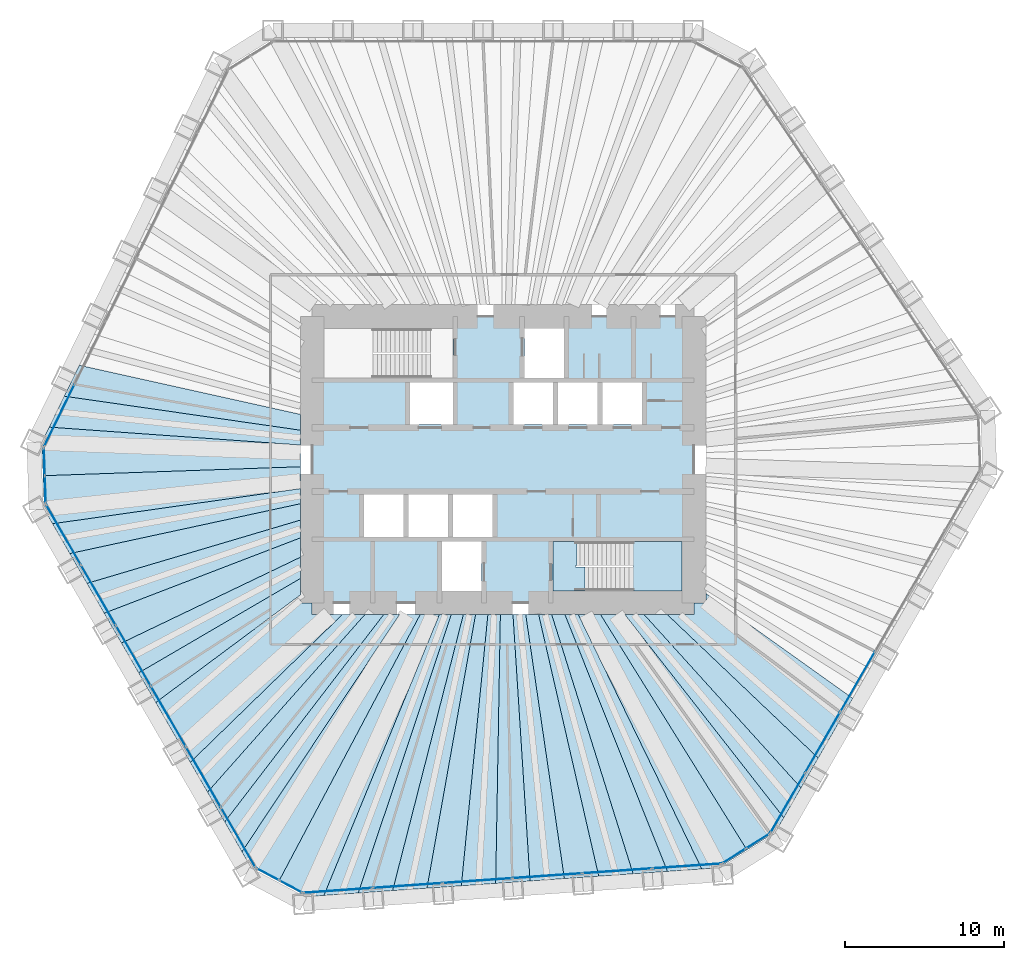
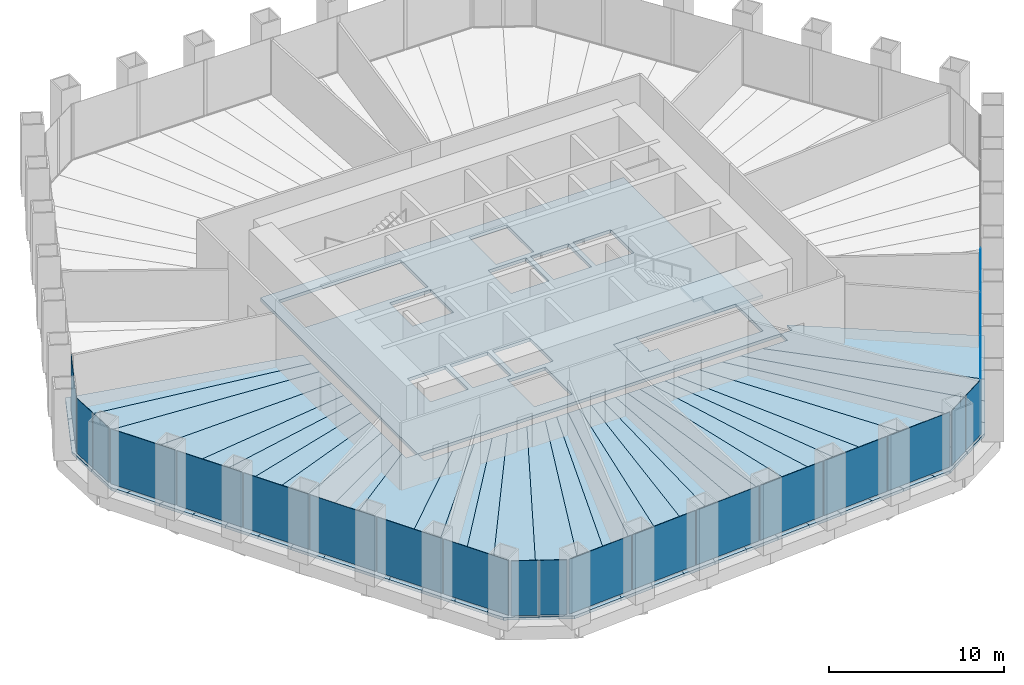
# One storey, part 8 of 13: 35 slabs, 22 plates, 8 elements without a shape of their own.
"""IFC4 building model written with IfcOpenShell, lengths in metres."""

from ifc_helpers import new_model, si_unit, direction, frame, origin, origin_2d, place, context, subcontext, project, spatial, polyline, rectangle, outline, extrude, material, layer, layer_set, type_object, element, aggregate, save


model = new_model("IFC4")

# Units and contexts
model_context = context("Model", 3, precision=1e-05, world=origin(), true_north=direction((0.0, 1.0)))
body_context = subcontext(model_context, "Body", "Model", "MODEL_VIEW")
ifc_project = project(units=[si_unit("LENGTHUNIT", "METRE"), si_unit("AREAUNIT", "SQUARE_METRE"), si_unit("VOLUMEUNIT", "CUBIC_METRE"), si_unit("PLANEANGLEUNIT", "RADIAN"), si_unit("MASSUNIT", "GRAM", prefix="KILO")], contexts=[model_context])

# Site, building, storey
site_placement = place(None, origin())
site = spatial("IfcSite", under=ifc_project, at=site_placement, CompositionType="ELEMENT")
building_placement = place(site_placement, origin())
building = spatial("IfcBuilding", under=site, at=building_placement, Name="Qingtian Harvest Tower", CompositionType="ELEMENT")
storey_placement = place(building_placement, frame((0.0, 0.0, 92.0)))
storey = spatial("IfcBuildingStorey", under=building, at=storey_placement, Name="L18", CompositionType="ELEMENT", Elevation=92.0)

# Slabs
ifc_material_1 = material(Name="Concrete fc' 35 MPa", Category="concrete")
ifc_layer_1 = layer(ifc_material_1, 0.199951171875)
ifc_layer_set_1 = layer_set([ifc_layer_1], Name="Composite floor slab FS20 200")
slab_type_1 = type_object("IfcSlabType", Name="Composite floor slab FS20 200", PredefinedType="FLOOR", material=ifc_layer_set_1)
slab_1_placement = place(storey_placement, frame((0.0, 0.0, -0.199951171875)))
element("IfcSlab", 1, at=slab_1_placement, inside=storey, type_object=slab_type_1, Name="Floor slab L18 panel D01", PredefinedType="FLOOR", context=body_context, shape_type="SweptSolid", body=[
    extrude(outline(polyline([(-28.930908203125, -1.01025390625), (-12.75, -0.447509765625), (-12.75, -1.822998046875), (-28.335205078125, -4.031982421875), (-28.857177734375, -3.128173828125), (-28.930908203125, -1.01025390625)])), origin(), (0.0, 0.0, 1.0), 0.199951171875),
])
slab_2_placement = place(storey_placement, frame((0.0, 0.0, -0.199951171875)))
element("IfcSlab", 2, at=slab_2_placement, inside=storey, type_object=slab_type_1, Name="Floor slab L18 panel D02", PredefinedType="FLOOR", context=body_context, shape_type="SweptSolid", body=[
    extrude(outline(polyline([(-12.75, -2.773681640625), (-27.252197265625, -5.90771484375), (-28.335205078125, -4.031982421875), (-12.75, -1.822998046875), (-12.75, -2.773681640625)])), origin(), (0.0, 0.0, 1.0), 0.199951171875),
])
slab_3_placement = place(storey_placement, frame((0.0, 0.0, -0.199951171875)))
element("IfcSlab", 3, at=slab_3_placement, inside=storey, type_object=slab_type_1, Name="Floor slab L18 panel D03", PredefinedType="FLOOR", context=body_context, shape_type="SweptSolid", body=[
    extrude(outline(polyline([(-12.75, -3.80322265625), (-26.169189453125, -7.78369140625), (-27.252197265625, -5.90771484375), (-12.75, -2.773681640625), (-12.75, -3.80322265625)])), origin(), (0.0, 0.0, 1.0), 0.199951171875),
])
slab_4_placement = place(storey_placement, frame((0.0, 0.0, -0.199951171875)))
element("IfcSlab", 4, at=slab_4_placement, inside=storey, type_object=slab_type_1, Name="Floor slab L18 panel D04", PredefinedType="FLOOR", context=body_context, shape_type="SweptSolid", body=[
    extrude(outline(polyline([(-12.75, -4.921875), (-25.086181640625, -9.659423828125), (-26.169189453125, -7.78369140625), (-12.75, -3.80322265625), (-12.75, -4.921875)])), origin(), (0.0, 0.0, 1.0), 0.199951171875),
])
slab_5_placement = place(storey_placement, frame((0.0, 0.0, -0.199951171875)))
element("IfcSlab", 5, at=slab_5_placement, inside=storey, type_object=slab_type_1, Name="Floor slab L18 panel D05", PredefinedType="FLOOR", context=body_context, shape_type="SweptSolid", body=[
    extrude(outline(polyline([(-12.75, -6.141357421875), (-24.003173828125, -11.535400390625), (-25.086181640625, -9.659423828125), (-12.75, -4.921875), (-12.75, -6.141357421875)])), origin(), (0.0, 0.0, 1.0), 0.199951171875),
])
slab_6_placement = place(storey_placement, frame((0.0, 0.0, -0.199951171875)))
element("IfcSlab", 6, at=slab_6_placement, inside=storey, type_object=slab_type_1, Name="Floor slab L18 panel D06", PredefinedType="FLOOR", context=body_context, shape_type="SweptSolid", body=[
    extrude(outline(polyline([(-12.75, -7.4765625), (-22.920166015625, -13.411376953125), (-24.003173828125, -11.535400390625), (-12.75, -6.141357421875), (-12.75, -7.4765625)])), origin(), (0.0, 0.0, 1.0), 0.199951171875),
])
slab_7_placement = place(storey_placement, frame((0.0, 0.0, -0.199951171875)))
element("IfcSlab", 7, at=slab_7_placement, inside=storey, type_object=slab_type_1, Name="Floor slab L18 panel D07", PredefinedType="FLOOR", context=body_context, shape_type="SweptSolid", body=[
    extrude(outline(polyline([(-12.75, -8.512451171875), (-21.84375, -15.275390625), (-22.920166015625, -13.411376953125), (-12.75, -7.4765625), (-12.75, -8.512451171875)])), origin(), (0.0, 0.0, 1.0), 0.199951171875),
])
slab_8_placement = place(storey_placement, frame((0.0, 0.0, -0.199951171875)))
element("IfcSlab", 8, at=slab_8_placement, inside=storey, type_object=slab_type_1, Name="Floor slab L18 panel D09", PredefinedType="FLOOR", context=body_context, shape_type="SweptSolid", body=[
    extrude(outline(polyline([(-19.671875, -19.037353515625), (-21.84375, -15.275390625), (-12.75, -8.512451171875), (-12.75, -9.0), (-12.0, -9.0), (-12.0, -9.75), (-10.1123046875, -9.75), (-19.671875, -19.037353515625)])), origin(), (0.0, 0.0, 1.0), 0.199951171875),
])
slab_9_placement = place(storey_placement, frame((0.0, 0.0, -0.199951171875)))
element("IfcSlab", 9, at=slab_9_placement, inside=storey, type_object=slab_type_1, Name="Floor slab L18 panel D10", PredefinedType="FLOOR", context=body_context, shape_type="SweptSolid", body=[
    extrude(outline(polyline([(-8.694580078125, -9.75), (-18.588623046875, -20.91357421875), (-19.671875, -19.037353515625), (-10.1123046875, -9.75), (-8.694580078125, -9.75)])), origin(), (0.0, 0.0, 1.0), 0.199951171875),
])
slab_10_placement = place(storey_placement, frame((0.0, 0.0, -0.199951171875)))
element("IfcSlab", 10, at=slab_10_placement, inside=storey, type_object=slab_type_1, Name="Floor slab L18 panel D11", PredefinedType="FLOOR", context=body_context, shape_type="SweptSolid", body=[
    extrude(outline(polyline([(-7.511474609375, -9.75), (-17.505615234375, -22.789306640625), (-18.588623046875, -20.91357421875), (-8.694580078125, -9.75), (-7.511474609375, -9.75)])), origin(), (0.0, 0.0, 1.0), 0.199951171875),
])
slab_11_placement = place(storey_placement, frame((0.0, 0.0, -0.199951171875)))
element("IfcSlab", 11, at=slab_11_placement, inside=storey, type_object=slab_type_1, Name="Floor slab L18 panel D12", PredefinedType="FLOOR", context=body_context, shape_type="SweptSolid", body=[
    extrude(outline(polyline([(-6.509033203125, -9.75), (-16.422607421875, -24.665283203125), (-17.505615234375, -22.789306640625), (-7.511474609375, -9.75), (-6.509033203125, -9.75)])), origin(), (0.0, 0.0, 1.0), 0.199951171875),
])
slab_12_placement = place(storey_placement, frame((0.0, 0.0, -0.199951171875)))
element("IfcSlab", 12, at=slab_12_placement, inside=storey, type_object=slab_type_1, Name="Floor slab L18 panel D13", PredefinedType="FLOOR", context=body_context, shape_type="SweptSolid", body=[
    extrude(outline(polyline([(-6.509033203125, -9.75), (-5.213623046875, -9.75), (-14.104248046875, -26.524658203125), (-15.900634765625, -25.5693359375), (-16.422607421875, -24.665283203125), (-6.509033203125, -9.75)])), origin(), (0.0, 0.0, 1.0), 0.199951171875),
])
slab_13_placement = place(storey_placement, frame((0.0, 0.0, -0.199951171875)))
element("IfcSlab", 13, at=slab_13_placement, inside=storey, type_object=slab_type_1, Name="Floor slab L18 panel D14", PredefinedType="FLOOR", context=body_context, shape_type="SweptSolid", body=[
    extrude(outline(polyline([(-5.213623046875, -9.75), (-4.006591796875, -9.75), (-11.265625, -27.40771484375), (-12.306396484375, -27.48046875), (-14.104248046875, -26.524658203125), (-5.213623046875, -9.75)])), origin(), (0.0, 0.0, 1.0), 0.199951171875),
])
slab_14_placement = place(storey_placement, frame((0.0, 0.0, -0.199951171875)))
element("IfcSlab", 14, at=slab_14_placement, inside=storey, type_object=slab_type_1, Name="Floor slab L18 panel D15", PredefinedType="FLOOR", context=body_context, shape_type="SweptSolid", body=[
    extrude(outline(polyline([(-3.255859375, -9.75), (-9.104736328125, -27.256591796875), (-11.265625, -27.40771484375), (-4.006591796875, -9.75), (-3.255859375, -9.75)])), origin(), (0.0, 0.0, 1.0), 0.199951171875),
])
slab_15_placement = place(storey_placement, frame((0.0, 0.0, -0.199951171875)))
element("IfcSlab", 15, at=slab_15_placement, inside=storey, type_object=slab_type_1, Name="Floor slab L18 panel D16", PredefinedType="FLOOR", context=body_context, shape_type="SweptSolid", body=[
    extrude(outline(polyline([(-2.496826171875, -9.75), (-6.944091796875, -27.10546875), (-9.104736328125, -27.256591796875), (-3.255859375, -9.75), (-2.496826171875, -9.75)])), origin(), (0.0, 0.0, 1.0), 0.199951171875),
])
slab_16_placement = place(storey_placement, frame((0.0, 0.0, -0.199951171875)))
element("IfcSlab", 16, at=slab_16_placement, inside=storey, type_object=slab_type_1, Name="Floor slab L18 panel D17", PredefinedType="FLOOR", context=body_context, shape_type="SweptSolid", body=[
    extrude(outline(polyline([(-1.729248046875, -9.75), (-4.783447265625, -26.954345703125), (-6.944091796875, -27.10546875), (-2.496826171875, -9.75), (-1.729248046875, -9.75)])), origin(), (0.0, 0.0, 1.0), 0.199951171875),
])
slab_17_placement = place(storey_placement, frame((0.0, 0.0, -0.199951171875)))
element("IfcSlab", 17, at=slab_17_placement, inside=storey, type_object=slab_type_1, Name="Floor slab L18 panel D18", PredefinedType="FLOOR", context=body_context, shape_type="SweptSolid", body=[
    extrude(outline(polyline([(-0.952880859375, -9.75), (-2.62255859375, -26.80322265625), (-4.783447265625, -26.954345703125), (-1.729248046875, -9.75), (-0.952880859375, -9.75)])), origin(), (0.0, 0.0, 1.0), 0.199951171875),
])
slab_18_placement = place(storey_placement, frame((0.0, 0.0, -0.199951171875)))
element("IfcSlab", 18, at=slab_18_placement, inside=storey, type_object=slab_type_1, Name="Floor slab L18 panel D19", PredefinedType="FLOOR", context=body_context, shape_type="SweptSolid", body=[
    extrude(outline(polyline([(-0.16796875, -9.75), (-0.4619140625, -26.652099609375), (-2.62255859375, -26.80322265625), (-0.952880859375, -9.75), (-0.16796875, -9.75)])), origin(), (0.0, 0.0, 1.0), 0.199951171875),
])
slab_19_placement = place(storey_placement, frame((0.0, 0.0, -0.199951171875)))
element("IfcSlab", 19, at=slab_19_placement, inside=storey, type_object=slab_type_1, Name="Floor slab L18 panel D20", PredefinedType="FLOOR", context=body_context, shape_type="SweptSolid", body=[
    extrude(outline(polyline([(0.626220703125, -9.75), (1.698974609375, -26.5009765625), (-0.4619140625, -26.652099609375), (-0.16796875, -9.75), (0.626220703125, -9.75)])), origin(), (0.0, 0.0, 1.0), 0.199951171875),
])
slab_20_placement = place(storey_placement, frame((0.0, 0.0, -0.199951171875)))
element("IfcSlab", 20, at=slab_20_placement, inside=storey, type_object=slab_type_1, Name="Floor slab L18 panel D21", PredefinedType="FLOOR", context=body_context, shape_type="SweptSolid", body=[
    extrude(outline(polyline([(1.42919921875, -9.75), (3.859619140625, -26.349853515625), (1.698974609375, -26.5009765625), (0.626220703125, -9.75), (1.42919921875, -9.75)])), origin(), (0.0, 0.0, 1.0), 0.199951171875),
])
slab_21_placement = place(storey_placement, frame((0.0, 0.0, -0.199951171875)))
element("IfcSlab", 21, at=slab_21_placement, inside=storey, type_object=slab_type_1, Name="Floor slab L18 panel D22", PredefinedType="FLOOR", context=body_context, shape_type="SweptSolid", body=[
    extrude(outline(polyline([(2.24169921875, -9.75), (6.020263671875, -26.198974609375), (3.859619140625, -26.349853515625), (1.42919921875, -9.75), (2.24169921875, -9.75)])), origin(), (0.0, 0.0, 1.0), 0.199951171875),
])
slab_22_placement = place(storey_placement, frame((0.0, 0.0, -0.199951171875)))
element("IfcSlab", 22, at=slab_22_placement, inside=storey, type_object=slab_type_1, Name="Floor slab L18 panel D23", PredefinedType="FLOOR", context=body_context, shape_type="SweptSolid", body=[
    extrude(outline(polyline([(3.0634765625, -9.75), (8.18115234375, -26.0478515625), (6.020263671875, -26.198974609375), (2.24169921875, -9.75), (3.0634765625, -9.75)])), origin(), (0.0, 0.0, 1.0), 0.199951171875),
])
slab_23_placement = place(storey_placement, frame((0.0, 0.0, -0.199951171875)))
element("IfcSlab", 23, at=slab_23_placement, inside=storey, type_object=slab_type_1, Name="Floor slab L18 panel D24", PredefinedType="FLOOR", context=body_context, shape_type="SweptSolid", body=[
    extrude(outline(polyline([(3.894775390625, -9.75), (10.341796875, -25.896728515625), (8.18115234375, -26.0478515625), (3.0634765625, -9.75), (3.894775390625, -9.75)])), origin(), (0.0, 0.0, 1.0), 0.199951171875),
])
slab_24_placement = place(storey_placement, frame((0.0, 0.0, -0.199951171875)))
element("IfcSlab", 24, at=slab_24_placement, inside=storey, type_object=slab_type_1, Name="Floor slab L18 panel D25", PredefinedType="FLOOR", context=body_context, shape_type="SweptSolid", body=[
    extrude(outline(polyline([(4.736083984375, -9.75), (12.50244140625, -25.74560546875), (10.341796875, -25.896728515625), (3.894775390625, -9.75), (4.736083984375, -9.75)])), origin(), (0.0, 0.0, 1.0), 0.199951171875),
])
slab_25_placement = place(storey_placement, frame((0.0, 0.0, -0.199951171875)))
element("IfcSlab", 25, at=slab_25_placement, inside=storey, type_object=slab_type_1, Name="Floor slab L18 panel D26", PredefinedType="FLOOR", context=body_context, shape_type="SweptSolid", body=[
    extrude(outline(polyline([(4.736083984375, -9.75), (6.136474609375, -9.75), (15.34130859375, -24.54931640625), (13.54345703125, -25.6728515625), (12.50244140625, -25.74560546875), (4.736083984375, -9.75)])), origin(), (0.0, 0.0, 1.0), 0.199951171875),
])
slab_26_placement = place(storey_placement, frame((0.0, 0.0, -0.199951171875)))
element("IfcSlab", 26, at=slab_26_placement, inside=storey, type_object=slab_type_1, Name="Floor slab L18 panel D27", PredefinedType="FLOOR", context=body_context, shape_type="SweptSolid", body=[
    extrude(outline(polyline([(6.136474609375, -9.75), (7.66748046875, -9.75), (17.659423828125, -22.522705078125), (17.137451171875, -23.427001953125), (15.34130859375, -24.54931640625), (6.136474609375, -9.75)])), origin(), (0.0, 0.0, 1.0), 0.199951171875),
])
slab_27_placement = place(storey_placement, frame((0.0, 0.0, -0.199951171875)))
element("IfcSlab", 27, at=slab_27_placement, inside=storey, type_object=slab_type_1, Name="Floor slab L18 panel D28", PredefinedType="FLOOR", context=body_context, shape_type="SweptSolid", body=[
    extrude(outline(polyline([(8.88037109375, -9.75), (18.74267578125, -20.646728515625), (17.659423828125, -22.522705078125), (7.66748046875, -9.75), (8.88037109375, -9.75)])), origin(), (0.0, 0.0, 1.0), 0.199951171875),
])
slab_28_placement = place(storey_placement, frame((0.0, 0.0, -0.199951171875)))
element("IfcSlab", 28, at=slab_28_placement, inside=storey, type_object=slab_type_1, Name="Floor slab L18 panel D29", PredefinedType="FLOOR", context=body_context, shape_type="SweptSolid", body=[
    extrude(outline(polyline([(10.337158203125, -9.75), (19.82568359375, -18.770751953125), (18.74267578125, -20.646728515625), (8.88037109375, -9.75), (10.337158203125, -9.75)])), origin(), (0.0, 0.0, 1.0), 0.199951171875),
])
slab_29_placement = place(storey_placement, frame((0.0, 0.0, -0.199951171875)))
element("IfcSlab", 29, at=slab_29_placement, inside=storey, type_object=slab_type_1, Name="Floor slab L18 panel D31", PredefinedType="FLOOR", context=body_context, shape_type="SweptSolid", body=[
    extrude(outline(polyline([(12.75, -8.4091796875), (21.995849609375, -15.011962890625), (19.82568359375, -18.770751953125), (10.337158203125, -9.75), (12.0, -9.75), (12.0, -9.0), (12.75, -9.0), (12.75, -8.4091796875)])), origin(), (0.0, 0.0, 1.0), 0.199951171875),
])
slab_30_placement = place(storey_placement, frame((0.0, 0.0, -0.199951171875)))
element("IfcSlab", 30, at=slab_30_placement, inside=storey, type_object=slab_type_1, Name="Floor slab L18 panel D76", PredefinedType="FLOOR", context=body_context, shape_type="SweptSolid", body=[
    extrude(outline(polyline([(-12.75, 1.8525390625), (-27.597900390625, 3.992431640625), (-26.6484375, 5.939208984375), (-12.75, 2.8505859375), (-12.75, 1.8525390625)])), origin(), (0.0, 0.0, 1.0), 0.199951171875),
])
slab_31_placement = place(storey_placement, frame((0.0, 0.0, -0.199951171875)))
element("IfcSlab", 31, at=slab_31_placement, inside=storey, type_object=slab_type_1, Name="Floor slab L18 panel D77", PredefinedType="FLOOR", context=body_context, shape_type="SweptSolid", body=[
    extrude(outline(polyline([(-12.75, 0.9208984375), (-28.54736328125, 2.045654296875), (-27.597900390625, 3.992431640625), (-12.75, 1.8525390625), (-12.75, 0.9208984375)])), origin(), (0.0, 0.0, 1.0), 0.199951171875),
])
slab_32_placement = place(storey_placement, frame((0.0, 0.0, -0.199951171875)))
element("IfcSlab", 32, at=slab_32_placement, inside=storey, type_object=slab_type_1, Name="Floor slab L18 panel D78", PredefinedType="FLOOR", context=body_context, shape_type="SweptSolid", body=[
    extrude(outline(polyline([(-12.75, 0.9208984375), (-12.75, -0.447509765625), (-28.930908203125, -1.01025390625), (-29.0048828125, 1.107421875), (-28.54736328125, 2.045654296875), (-12.75, 0.9208984375)])), origin(), (0.0, 0.0, 1.0), 0.199951171875),
])
ifc_material_2 = material(Name="Concrete fc' 35 MPa", Category="concrete")
ifc_layer_2 = layer(ifc_material_2, 0.219970703125)
ifc_layer_set_2 = layer_set([ifc_layer_2], Name="Core floor slab CS22 220")
slab_type_2 = type_object("IfcSlabType", Name="Core floor slab CS22 220", PredefinedType="FLOOR", material=ifc_layer_set_2)
slab_33_placement = place(storey_placement, frame((0.0, 0.0, -0.219970703125)))
element("IfcSlab", 33, at=slab_33_placement, inside=storey, type_object=slab_type_2, Name="Core floor slab L18", PredefinedType="FLOOR", context=body_context, shape_type="SweptSolid", body=[
    extrude(outline(polyline([(-12.0, -9.0), (12.0, -9.0), (12.0, 9.0), (-12.0, 9.0), (-12.0, -9.0)]), holes=[polyline([(-11.25, 5.14990234375), (-3.14990234375, 5.14990234375), (-3.14990234375, 8.25), (-11.25, 8.25), (-11.25, 5.14990234375)]), polyline([(3.14990234375, -8.25), (11.25, -8.25), (11.25, -5.14990234375), (3.14990234375, -5.14990234375), (3.14990234375, -8.25)]), polyline([(1.35009765625, 5.14990234375), (3.85009765625, 5.14990234375), (3.85009765625, 8.25), (1.35009765625, 8.25), (1.35009765625, 5.14990234375)]), polyline([(-3.85009765625, -8.25), (-1.35009765625, -8.25), (-1.35009765625, -5.14990234375), (-3.85009765625, -5.14990234375), (-3.85009765625, -8.25)]), polyline([(-5.85009765625, 2.199951171875), (-3.14990234375, 2.199951171875), (-3.14990234375, 4.85009765625), (-5.85009765625, 4.85009765625), (-5.85009765625, 2.199951171875)]), polyline([(0.64990234375, 2.199951171875), (3.14990234375, 2.199951171875), (3.14990234375, 4.85009765625), (0.64990234375, 4.85009765625), (0.64990234375, 2.199951171875)]), polyline([(3.449951171875, 2.199951171875), (5.949951171875, 2.199951171875), (5.949951171875, 4.85009765625), (3.449951171875, 4.85009765625), (3.449951171875, 2.199951171875)]), polyline([(6.25, 2.199951171875), (8.75, 2.199951171875), (8.75, 4.85009765625), (6.25, 4.85009765625), (6.25, 2.199951171875)]), polyline([(-8.75, -4.85009765625), (-6.25, -4.85009765625), (-6.25, -2.199951171875), (-8.75, -2.199951171875), (-8.75, -4.85009765625)]), polyline([(-5.949951171875, -4.85009765625), (-3.449951171875, -4.85009765625), (-3.449951171875, -2.199951171875), (-5.949951171875, -2.199951171875), (-5.949951171875, -4.85009765625)]), polyline([(-3.14990234375, -4.85009765625), (-0.64990234375, -4.85009765625), (-0.64990234375, -2.199951171875), (-3.14990234375, -2.199951171875), (-3.14990234375, -4.85009765625)])]), origin(), (0.0, 0.0, 1.0), 0.219970703125),
])

# Curtain wall, plates
ifc_material_3 = material(Name="Bronze-anodised aluminium curtain wall", Category="aluminium")
curtain_wall_type = type_object("IfcCurtainWallType", Name="Curtain wall CW2 farm reception", PredefinedType="USERDEFINED", material=ifc_material_3)
curtain_wall_1_placement = place(storey_placement, origin())
curtain_wall_1 = element("IfcCurtainWall", 34, at=curtain_wall_1_placement, inside=storey, type_object=curtain_wall_type, Name="Curtain wall CW2 L18 SE0-5", ObjectType="RECESSED CURTAIN WALL", PredefinedType="USERDEFINED")
ifc_material_4 = material(Name="Bronze-tinted laminated insulating glass", Category="glass")
ifc_layer_3 = layer(ifc_material_4, 0.030029296875)
ifc_layer_set_3 = layer_set([ifc_layer_3], Name="Glazed panel CWP tinted IGU")
plate_type = type_object("IfcPlateType", Name="Glazed panel CWP tinted IGU", PredefinedType="CURTAIN_PANEL", material=ifc_layer_set_3)
plate_1_placement = place(storey_placement, frame((22.30419921875, -13.968017578125, 0.06494140625), z_axis=(0.0, 0.0, 1.0), x_axis=(-0.5, -0.866025403784, 0.0)))
plate_1 = element("IfcPlate", 35, at=plate_1_placement, type_object=plate_type, Name="CW2 panel 4.1", PredefinedType="CURTAIN_PANEL", context=body_context, shape_type="SweptSolid", body=[
    extrude(rectangle(XDim=4.339599609375, YDim=0.030029296875, at=origin_2d()), origin(), (0.0, 0.0, 1.0), 3.8349609375),
])
plate_2_placement = place(storey_placement, frame((20.101806640625, -17.782470703125, 0.06494140625), z_axis=(0.0, 0.0, 1.0), x_axis=(-0.5, -0.866025403784, 0.0)))
plate_2 = element("IfcPlate", 36, at=plate_2_placement, type_object=plate_type, Name="CW2 panel 5.1", PredefinedType="CURTAIN_PANEL", context=body_context, shape_type="SweptSolid", body=[
    extrude(rectangle(XDim=4.339599609375, YDim=0.030029296875, at=origin_2d()), origin(), (0.0, 0.0, 1.0), 3.8349609375),
])
plate_3_placement = place(storey_placement, frame((17.90771484375, -21.5830078125, 0.06494140625), z_axis=(0.0, 0.0, 1.0), x_axis=(-0.5, -0.866025403784, 0.0)))
plate_3 = element("IfcPlate", 37, at=plate_3_placement, type_object=plate_type, Name="CW2 panel 6.1", PredefinedType="CURTAIN_PANEL", context=body_context, shape_type="SweptSolid", body=[
    extrude(rectangle(XDim=4.30712890625, YDim=0.030029296875, at=origin_2d()), origin(), (0.0, 0.0, 1.0), 3.8349609375),
])
aggregate(curtain_wall_1, [plate_1, plate_2, plate_3])

curtain_wall_2_placement = place(storey_placement, origin())
curtain_wall_2 = element("IfcCurtainWall", 38, at=curtain_wall_2_placement, inside=storey, type_object=curtain_wall_type, Name="Curtain wall CW2 L18 SEC", ObjectType="RECESSED CURTAIN WALL", PredefinedType="USERDEFINED")
plate_4_placement = place(storey_placement, frame((16.025390625, -23.9873046875, 0.06494140625), z_axis=(0.0, 0.0, 1.0), x_axis=(-0.848048096156, -0.529919264233, 0.0)))
plate_4 = element("IfcPlate", 39, at=plate_4_placement, type_object=plate_type, Name="CW2 panel 1.1", PredefinedType="CURTAIN_PANEL", context=body_context, shape_type="SweptSolid", body=[
    extrude(rectangle(XDim=1.69287109375, YDim=0.030029296875, at=origin_2d()), origin(), (0.0, 0.0, 1.0), 3.8349609375),
])
plate_5_placement = place(storey_placement, frame((14.53466796875, -24.9189453125, 0.06494140625), z_axis=(0.0, 0.0, 1.0), x_axis=(-0.848048096156, -0.529919264233, 0.0)))
plate_5 = element("IfcPlate", 40, at=plate_5_placement, type_object=plate_type, Name="CW2 panel 2.1", PredefinedType="CURTAIN_PANEL", context=body_context, shape_type="SweptSolid", body=[
    extrude(rectangle(XDim=1.69287109375, YDim=0.030029296875, at=origin_2d()), origin(), (0.0, 0.0, 1.0), 3.8349609375),
])
aggregate(curtain_wall_2, [plate_4, plate_5])

curtain_wall_3_placement = place(storey_placement, origin())
curtain_wall_3 = element("IfcCurtainWall", 41, at=curtain_wall_3_placement, inside=storey, type_object=curtain_wall_type, Name="Curtain wall CW2 L18 S0-5", ObjectType="RECESSED CURTAIN WALL", PredefinedType="USERDEFINED")
plate_6_placement = place(storey_placement, frame((11.548583984375, -25.556640625, 0.06494140625), z_axis=(0.0, 0.0, 1.0), x_axis=(-0.99756405026, -0.069756473744, 0.0)))
plate_6 = element("IfcPlate", 42, at=plate_6_placement, type_object=plate_type, Name="CW2 panel 1.1", PredefinedType="CURTAIN_PANEL", context=body_context, shape_type="SweptSolid", body=[
    extrude(rectangle(XDim=4.30712890625, YDim=0.030029296875, at=origin_2d()), origin(), (0.0, 0.0, 1.0), 3.8349609375),
])
plate_7_placement = place(storey_placement, frame((7.1708984375, -25.86279296875, 0.06494140625), z_axis=(0.0, 0.0, 1.0), x_axis=(-0.99756405026, -0.069756473744, 0.0)))
plate_7 = element("IfcPlate", 43, at=plate_7_placement, type_object=plate_type, Name="CW2 panel 2.1", PredefinedType="CURTAIN_PANEL", context=body_context, shape_type="SweptSolid", body=[
    extrude(rectangle(XDim=4.339599609375, YDim=0.030029296875, at=origin_2d()), origin(), (0.0, 0.0, 1.0), 3.8349609375),
])
plate_8_placement = place(storey_placement, frame((2.77685546875, -26.169921875, 0.06494140625), z_axis=(0.0, 0.0, 1.0), x_axis=(-0.99756405026, -0.069756473744, 0.0)))
plate_8 = element("IfcPlate", 44, at=plate_8_placement, type_object=plate_type, Name="CW2 panel 3.1", PredefinedType="CURTAIN_PANEL", context=body_context, shape_type="SweptSolid", body=[
    extrude(rectangle(XDim=4.339599609375, YDim=0.030029296875, at=origin_2d()), origin(), (0.0, 0.0, 1.0), 3.8349609375),
])
plate_9_placement = place(storey_placement, frame((-1.616943359375, -26.477294921875, 0.06494140625), z_axis=(0.0, 0.0, 1.0), x_axis=(-0.99756405026, -0.069756473744, 0.0)))
plate_9 = element("IfcPlate", 45, at=plate_9_placement, type_object=plate_type, Name="CW2 panel 4.1", PredefinedType="CURTAIN_PANEL", context=body_context, shape_type="SweptSolid", body=[
    extrude(rectangle(XDim=4.339599609375, YDim=0.030029296875, at=origin_2d()), origin(), (0.0, 0.0, 1.0), 3.8349609375),
])
plate_10_placement = place(storey_placement, frame((-6.0107421875, -26.784423828125, 0.06494140625), z_axis=(0.0, 0.0, 1.0), x_axis=(-0.99756405026, -0.069756473744, 0.0)))
plate_10 = element("IfcPlate", 46, at=plate_10_placement, type_object=plate_type, Name="CW2 panel 5.1", PredefinedType="CURTAIN_PANEL", context=body_context, shape_type="SweptSolid", body=[
    extrude(rectangle(XDim=4.339599609375, YDim=0.030029296875, at=origin_2d()), origin(), (0.0, 0.0, 1.0), 3.8349609375),
])
plate_11_placement = place(storey_placement, frame((-10.388427734375, -27.090576171875, 0.06494140625), z_axis=(0.0, 0.0, 1.0), x_axis=(-0.99756405026, -0.069756473744, 0.0)))
plate_11 = element("IfcPlate", 47, at=plate_11_placement, type_object=plate_type, Name="CW2 panel 6.1", PredefinedType="CURTAIN_PANEL", context=body_context, shape_type="SweptSolid", body=[
    extrude(rectangle(XDim=4.30712890625, YDim=0.030029296875, at=origin_2d()), origin(), (0.0, 0.0, 1.0), 3.8349609375),
])
aggregate(curtain_wall_3, [plate_6, plate_7, plate_8, plate_9, plate_10, plate_11])

curtain_wall_4_placement = place(storey_placement, origin())
curtain_wall_4 = element("IfcCurtainWall", 48, at=curtain_wall_4_placement, inside=storey, type_object=curtain_wall_type, Name="Curtain wall CW2 L18 SC", ObjectType="RECESSED CURTAIN WALL", PredefinedType="USERDEFINED")
plate_12_placement = place(storey_placement, frame((-13.350830078125, -26.84716796875, 0.06494140625), z_axis=(0.0, 0.0, 1.0), x_axis=(-0.882947592859, 0.469471562786, 0.0)))
plate_12 = element("IfcPlate", 49, at=plate_12_placement, type_object=plate_type, Name="CW2 panel 1.1", PredefinedType="CURTAIN_PANEL", context=body_context, shape_type="SweptSolid", body=[
    extrude(rectangle(XDim=1.56689453125, YDim=0.030029296875, at=origin_2d()), origin(), (0.0, 0.0, 1.0), 3.8349609375),
])
plate_13_placement = place(storey_placement, frame((-14.79150390625, -26.0810546875, 0.06494140625), z_axis=(0.0, 0.0, 1.0), x_axis=(-0.882947592859, 0.469471562786, 0.0)))
plate_13 = element("IfcPlate", 50, at=plate_13_placement, type_object=plate_type, Name="CW2 panel 2.1", PredefinedType="CURTAIN_PANEL", context=body_context, shape_type="SweptSolid", body=[
    extrude(rectangle(XDim=1.56689453125, YDim=0.030029296875, at=origin_2d()), origin(), (0.0, 0.0, 1.0), 3.8349609375),
])
aggregate(curtain_wall_4, [plate_12, plate_13])

curtain_wall_5_placement = place(storey_placement, origin())
curtain_wall_5 = element("IfcCurtainWall", 51, at=curtain_wall_5_placement, inside=storey, type_object=curtain_wall_type, Name="Curtain wall CW2 L18 SW0-5", ObjectType="RECESSED CURTAIN WALL", PredefinedType="USERDEFINED")
plate_14_placement = place(storey_placement, frame((-16.64990234375, -23.76123046875, 0.06494140625), z_axis=(0.0, 0.0, 1.0), x_axis=(-0.5, 0.866025403784, 0.0)))
plate_14 = element("IfcPlate", 52, at=plate_14_placement, type_object=plate_type, Name="CW2 panel 1.1", PredefinedType="CURTAIN_PANEL", context=body_context, shape_type="SweptSolid", body=[
    extrude(rectangle(XDim=4.30712890625, YDim=0.030029296875, at=origin_2d()), origin(), (0.0, 0.0, 1.0), 3.8349609375),
])
plate_15_placement = place(storey_placement, frame((-18.84423828125, -19.9609375, 0.06494140625), z_axis=(0.0, 0.0, 1.0), x_axis=(-0.5, 0.866025403784, 0.0)))
plate_15 = element("IfcPlate", 53, at=plate_15_placement, type_object=plate_type, Name="CW2 panel 2.1", PredefinedType="CURTAIN_PANEL", context=body_context, shape_type="SweptSolid", body=[
    extrude(rectangle(XDim=4.339599609375, YDim=0.030029296875, at=origin_2d()), origin(), (0.0, 0.0, 1.0), 3.8349609375),
])
plate_16_placement = place(storey_placement, frame((-21.04638671875, -16.146484375, 0.06494140625), z_axis=(0.0, 0.0, 1.0), x_axis=(-0.5, 0.866025403784, 0.0)))
plate_16 = element("IfcPlate", 54, at=plate_16_placement, type_object=plate_type, Name="CW2 panel 3.1", PredefinedType="CURTAIN_PANEL", context=body_context, shape_type="SweptSolid", body=[
    extrude(rectangle(XDim=4.339599609375, YDim=0.030029296875, at=origin_2d()), origin(), (0.0, 0.0, 1.0), 3.8349609375),
])
plate_17_placement = place(storey_placement, frame((-23.248779296875, -12.33203125, 0.06494140625), z_axis=(0.0, 0.0, 1.0), x_axis=(-0.5, 0.866025403784, 0.0)))
plate_17 = element("IfcPlate", 55, at=plate_17_placement, type_object=plate_type, Name="CW2 panel 4.1", PredefinedType="CURTAIN_PANEL", context=body_context, shape_type="SweptSolid", body=[
    extrude(rectangle(XDim=4.339599609375, YDim=0.030029296875, at=origin_2d()), origin(), (0.0, 0.0, 1.0), 3.8349609375),
])
plate_18_placement = place(storey_placement, frame((-25.451171875, -8.517333984375, 0.06494140625), z_axis=(0.0, 0.0, 1.0), x_axis=(-0.5, 0.866025403784, 0.0)))
plate_18 = element("IfcPlate", 56, at=plate_18_placement, type_object=plate_type, Name="CW2 panel 5.1", PredefinedType="CURTAIN_PANEL", context=body_context, shape_type="SweptSolid", body=[
    extrude(rectangle(XDim=4.339599609375, YDim=0.030029296875, at=origin_2d()), origin(), (0.0, 0.0, 1.0), 3.8349609375),
])
plate_19_placement = place(storey_placement, frame((-27.645263671875, -4.717041015625, 0.06494140625), z_axis=(0.0, 0.0, 1.0), x_axis=(-0.5, 0.866025403784, 0.0)))
plate_19 = element("IfcPlate", 57, at=plate_19_placement, type_object=plate_type, Name="CW2 panel 6.1", PredefinedType="CURTAIN_PANEL", context=body_context, shape_type="SweptSolid", body=[
    extrude(rectangle(XDim=4.30712890625, YDim=0.030029296875, at=origin_2d()), origin(), (0.0, 0.0, 1.0), 3.8349609375),
])
aggregate(curtain_wall_5, [plate_14, plate_15, plate_16, plate_17, plate_18, plate_19])

curtain_wall_6_placement = place(storey_placement, origin())
curtain_wall_6 = element("IfcCurtainWall", 58, at=curtain_wall_6_placement, inside=storey, type_object=curtain_wall_type, Name="Curtain wall CW2 L18 SWC", ObjectType="RECESSED CURTAIN WALL", PredefinedType="USERDEFINED")
plate_20_placement = place(storey_placement, frame((-28.786376953125, -1.884765625, 0.06494140625), z_axis=(0.0, 0.0, 1.0), x_axis=(-0.034899496703, 0.999390827019, 0.0)))
plate_20 = element("IfcPlate", 59, at=plate_20_placement, type_object=plate_type, Name="CW2 panel 1.1", PredefinedType="CURTAIN_PANEL", context=body_context, shape_type="SweptSolid", body=[
    extrude(rectangle(XDim=1.69287109375, YDim=0.030029296875, at=origin_2d()), origin(), (0.0, 0.0, 1.0), 3.8349609375),
])
plate_21_placement = place(storey_placement, frame((-28.84765625, -0.1279296875, 0.06494140625), z_axis=(0.0, 0.0, 1.0), x_axis=(-0.034899496703, 0.999390827019, 0.0)))
plate_21 = element("IfcPlate", 60, at=plate_21_placement, type_object=plate_type, Name="CW2 panel 2.1", PredefinedType="CURTAIN_PANEL", context=body_context, shape_type="SweptSolid", body=[
    extrude(rectangle(XDim=1.69287109375, YDim=0.030029296875, at=origin_2d()), origin(), (0.0, 0.0, 1.0), 3.8349609375),
])
aggregate(curtain_wall_6, [plate_20, plate_21])

# Curtain wall, plate
curtain_wall_7_placement = place(storey_placement, origin())
curtain_wall_7 = element("IfcCurtainWall", 61, at=curtain_wall_7_placement, inside=storey, type_object=curtain_wall_type, Name="Curtain wall CW2 L18 NW0-5", ObjectType="RECESSED CURTAIN WALL", PredefinedType="USERDEFINED")
plate_22_placement = place(storey_placement, frame((-27.906982421875, 2.777099609375, 0.06494140625), z_axis=(0.0, 0.0, 1.0), x_axis=(0.438371146789, 0.898794046299, 0.0)))
plate_22 = element("IfcPlate", 62, at=plate_22_placement, type_object=plate_type, Name="CW2 panel 1.1", PredefinedType="CURTAIN_PANEL", context=body_context, shape_type="SweptSolid", body=[
    extrude(rectangle(XDim=4.30712890625, YDim=0.030029296875, at=origin_2d()), origin(), (0.0, 0.0, 1.0), 3.8349609375),
])
aggregate(curtain_wall_7, [plate_22])

# Stair, slabs
ifc_material_5 = material(Name="Concrete fc' 35 MPa", Category="concrete")
stair_type = type_object("IfcStairType", Name="Special stair ST2 5000", PredefinedType="HALF_TURN_STAIR", material=ifc_material_5)
stair_placement = place(storey_placement, origin())
stair = element("IfcStair", 63, at=stair_placement, inside=storey, type_object=stair_type, Name="Special stair S2 L18", PredefinedType="HALF_TURN_STAIR")
ifc_material_6 = material(Name="Concrete fc' 35 MPa", Category="concrete")
ifc_layer_4 = layer(ifc_material_6, 0.199951171875)
ifc_layer_set_4 = layer_set([ifc_layer_4], Name="Stair landing SL2 200")
slab_type_3 = type_object("IfcSlabType", Name="Stair landing SL2 200", PredefinedType="LANDING", material=ifc_layer_set_4)
slab_34_placement = place(storey_placement, frame((0.0, 0.0, -0.199951171875)))
slab_34 = element("IfcSlab", 64, at=slab_34_placement, type_object=slab_type_3, Name="S2 landing 1", PredefinedType="LANDING", context=body_context, shape_type="SweptSolid", body=[
    extrude(outline(polyline([(5.155029296875, -8.25), (3.14990234375, -8.25), (3.14990234375, -5.14990234375), (4.64990234375, -5.14990234375), (4.64990234375, -6.64990234375), (4.550048828125, -6.64990234375), (4.550048828125, -6.75), (5.155029296875, -6.75), (5.155029296875, -8.25)])), origin(), (0.0, 0.0, 1.0), 0.199951171875),
])
slab_35_placement = place(storey_placement, frame((0.0, 0.0, 2.300048828125)))
slab_35 = element("IfcSlab", 65, at=slab_35_placement, type_object=slab_type_3, Name="S2 landing 2", PredefinedType="LANDING", context=body_context, shape_type="SweptSolid", body=[
    extrude(outline(polyline([(8.090087890625, -8.25), (8.090087890625, -6.75), (8.18994140625, -6.75), (8.18994140625, -6.64990234375), (7.5849609375, -6.64990234375), (7.5849609375, -5.14990234375), (11.25, -5.14990234375), (11.25, -8.25), (8.090087890625, -8.25)])), origin(), (0.0, 0.0, 1.0), 0.199951171875),
])
aggregate(stair, [slab_34, slab_35])

save(model, "model.ifc")
